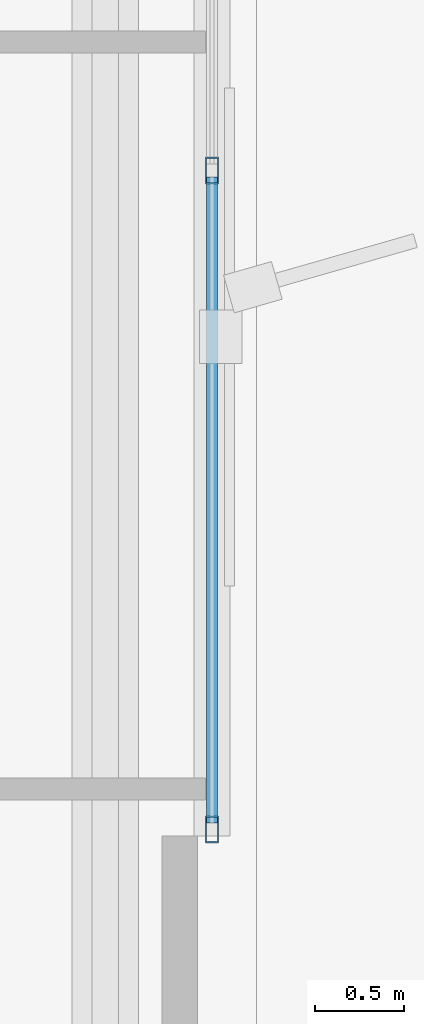
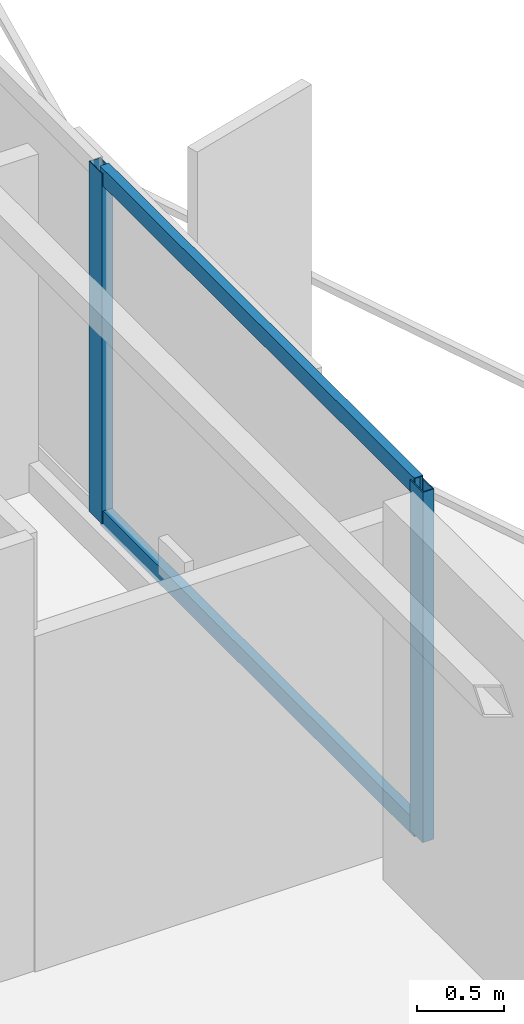
# One storey, part 8 of 23: 4 members, 1 element without a shape of its own.
"""IFC4 building model written with IfcOpenShell, lengths in metres."""

import ifcopenshell
import ifcopenshell.guid

model = None  # the IFC model being written
_history = None  # IfcOwnerHistory: only IFC2X3 demands one
_inside = {}  # id of a spatial element -> (the spatial element, [elements in it])
_under = {}  # id of a project, library or spatial element -> (it, [spatial elements below it])
_declared = {}  # id of a project -> (the project, [libraries it declares])
_typed = {}  # id of a type object -> (the type object, [elements of that type])
_made_of = {}  # id of a material, layer set ... -> (it, [elements and type objects made of it])


def new_model(schema):
    """Start an empty IFC model of exactly this schema.

    Asked for "IFC4X3", IfcOpenShell would pick the latest addendum, in which some entities
    have other attributes; the version numbers below select the first issue.
    IFC2X3 requires an IfcOwnerHistory on every rooted entity: one is made here for all.
    """
    global model, _history
    if schema == "IFC4X3":
        model = ifcopenshell.file(schema_version=(4, 3, 0, 0))
    else:
        model = ifcopenshell.file(schema=schema)
    _inside.clear()
    _under.clear()
    _declared.clear()
    _typed.clear()
    _made_of.clear()
    _history = None
    if model.schema == "IFC2X3":
        org = make("IfcOrganization", Name="unknown")
        user = make(
            "IfcPersonAndOrganization",
            ThePerson=make("IfcPerson", FamilyName="unknown"),
            TheOrganization=org,
        )
        app = make(
            "IfcApplication",
            ApplicationDeveloper=org,
            Version="unknown",
            ApplicationFullName="unknown",
            ApplicationIdentifier="unknown",
        )
        _history = make(
            "IfcOwnerHistory",
            OwningUser=user,
            OwningApplication=app,
            ChangeAction="ADDED",
            CreationDate=0,
        )
    return model


def make(cls, **values):
    """One entity of the class cls with the attributes given. An attribute that is None is left unset."""
    return model.create_entity(
        cls, **{name: value for name, value in values.items() if value is not None}
    )


def rooted(cls, **values):
    """An entity with a GlobalId (a new one), such as an element, a storey or a relation."""
    return make(cls, GlobalId=ifcopenshell.guid.new(), OwnerHistory=_history, **values)


def si_unit(unit_type, name, prefix=None):
    """IfcSIUnit, for example si_unit("LENGTHUNIT", "METRE", prefix="MILLI")."""
    return make("IfcSIUnit", UnitType=unit_type, Prefix=prefix, Name=name)


def assignment(units):
    """IfcUnitAssignment: the units of a project."""
    return None if units is None else make("IfcUnitAssignment", Units=units)


def point(xyz):
    """IfcCartesianPoint."""
    return None if xyz is None else make("IfcCartesianPoint", Coordinates=xyz)


def direction(xyz):
    """IfcDirection."""
    return None if xyz is None else make("IfcDirection", DirectionRatios=xyz)


def frame(location, z_axis=None, x_axis=None):
    """IfcAxis2Placement3D, a coordinate frame: its origin and axes. An axis left out is left unset."""
    return make(
        "IfcAxis2Placement3D",
        Location=point(location),
        Axis=direction(z_axis),
        RefDirection=direction(x_axis),
    )


def frame_2d(location, x_axis=None):
    """IfcAxis2Placement2D, a coordinate frame in the plane: its origin and x axis."""
    return make(
        "IfcAxis2Placement2D", Location=point(location), RefDirection=direction(x_axis)
    )


def origin():
    """The frame at (0, 0, 0) with its axes left unset."""
    return frame((0.0, 0.0, 0.0))


def origin_2d():
    """The frame at (0, 0) in the plane with its x axis left unset."""
    return frame_2d((0.0, 0.0))


def place(relative_to, where):
    """IfcLocalPlacement: puts the frame where relative to a parent placement (None: the world)."""
    return make(
        "IfcLocalPlacement", PlacementRelTo=relative_to, RelativePlacement=where
    )


def context(
    kind, dimensions, precision=None, world=None, true_north=None, identifier=None
):
    """IfcGeometricRepresentationContext, for example the 3D "Model" context."""
    return make(
        "IfcGeometricRepresentationContext",
        ContextIdentifier=identifier,
        ContextType=kind,
        CoordinateSpaceDimension=dimensions,
        Precision=precision,
        WorldCoordinateSystem=world,
        TrueNorth=true_north,
    )


def subcontext(parent, identifier, kind, view, scale=None):
    """IfcGeometricRepresentationSubContext, for example "Body" below "Model"."""
    return make(
        "IfcGeometricRepresentationSubContext",
        ContextIdentifier=identifier,
        ContextType=kind,
        ParentContext=parent,
        TargetScale=scale,
        TargetView=view,
    )


def project(units=None, contexts=None):
    """IfcProject with its units and contexts."""
    return rooted(
        "IfcProject",
        Name="project",
        RepresentationContexts=contexts,
        UnitsInContext=assignment(units),
    )


def spatial(cls, under=None, at=None, **own):
    """A site, building, storey or space (cls), placed at a placement, below another one or the project."""
    s = rooted(cls, ObjectPlacement=at, **own)
    if under is not None:
        _under.setdefault(under.id(), (under, []))[1].append(s)
    return s


def profile(cls, at=None, kind="AREA", **sizes):
    """A parametric profile (cls). Its sizes go by their IFC names, for example OverallWidth=200.0."""
    return make(cls, ProfileType=kind, Position=at, **sizes)


def hollow_rectangle(**sizes):
    """IfcRectangleHollowProfileDef."""
    return profile("IfcRectangleHollowProfileDef", **sizes)


def extrude(swept, where, along, depth):
    """IfcExtrudedAreaSolid: the profile swept, set in the frame where, extruded along a direction by depth."""
    return make(
        "IfcExtrudedAreaSolid",
        SweptArea=swept,
        Position=where,
        ExtrudedDirection=direction(along),
        Depth=depth,
    )


def shape(context_of_items, identifier, shape_type, items):
    """IfcShapeRepresentation: the items that make up one representation, for example the "Body"."""
    return make(
        "IfcShapeRepresentation",
        ContextOfItems=context_of_items,
        RepresentationIdentifier=identifier,
        RepresentationType=shape_type,
        Items=items,
    )


def material(Name=None, Category=None):
    """IfcMaterial."""
    return make("IfcMaterial", Name=Name, Category=Category)


def layer(
    of_material, thickness, ventilated=None, Name=None, Category=None, Priority=None
):
    """IfcMaterialLayer: one layer of a wall or slab, of a material (None: an air gap)."""
    return make(
        "IfcMaterialLayer",
        Material=of_material,
        LayerThickness=thickness,
        IsVentilated=ventilated,
        Name=Name,
        Category=Category,
        Priority=Priority,
    )


def layer_set(layers, Name=None):
    """IfcMaterialLayerSet."""
    return make("IfcMaterialLayerSet", MaterialLayers=layers, LayerSetName=Name)


def material_profile(
    of_material, cross_section, Name=None, Category=None, Priority=None
):
    """IfcMaterialProfile: a cross section and its material."""
    return make(
        "IfcMaterialProfile",
        Name=Name,
        Material=of_material,
        Profile=cross_section,
        Priority=Priority,
        Category=Category,
    )


def profile_set(profiles, Name=None, composite=None):
    """IfcMaterialProfileSet."""
    return make(
        "IfcMaterialProfileSet",
        Name=Name,
        MaterialProfiles=profiles,
        CompositeProfile=composite,
    )


def made_of(thing, what):
    """Note that an element or type object is made of a material, layer set ...; save() writes the relation."""
    if what is not None:
        _made_of.setdefault(what.id(), (what, []))[1].append(thing)
    return thing


def type_object(cls, material=None, **own):
    """A type object (cls), such as IfcWallType, which elements share."""
    return made_of(rooted(cls, **own), material)


def element(
    cls,
    number,
    at=None,
    inside=None,
    cuts=None,
    type_object=None,
    material=None,
    context=None,
    identifier="Body",
    shape_type=None,
    held_by="IfcProductDefinitionShape",
    body=None,
    shapes=None,
    **own,
):
    """One element of the class cls, such as IfcWall. Its Tag is "e" and its number.

    at: its placement. inside: the storey or other place that contains it. cuts: it is an
    opening in that element (IfcRelVoidsElement). A single representation is given by context,
    identifier, shape_type and body (its items); several are given by shapes. held_by: the class
    of the entity that holds the representations. save() writes the other relations.
    """
    e = rooted(cls, Tag="e%d" % number, ObjectPlacement=at, **own)
    if body is not None:
        shapes = [shape(context, identifier, shape_type, body)]
    if shapes is not None:
        e.Representation = make(held_by, Representations=shapes)
    if inside is not None:
        _inside.setdefault(inside.id(), (inside, []))[1].append(e)
    if cuts is not None:
        rooted(
            "IfcRelVoidsElement", RelatingBuildingElement=cuts, RelatedOpeningElement=e
        )
    if type_object is not None:
        _typed.setdefault(type_object.id(), (type_object, []))[1].append(e)
    return made_of(e, material)


def aggregate(whole, parts):
    """IfcRelAggregates: a whole, such as a stair, and the parts it consists of."""
    return rooted("IfcRelAggregates", RelatingObject=whole, RelatedObjects=parts)


def save(model, path):
    """Write the relations noted so far, then the file.

    IfcRelAggregates (storeys below a building ...), IfcRelContainedInSpatialStructure (elements
    in a storey), IfcRelDefinesByType, IfcRelAssociatesMaterial and IfcRelDeclares: one each for
    every whole, place, type object, material and project.
    """
    for whole, parts in _under.values():
        aggregate(whole, parts)
    for where, things in _inside.values():
        rooted(
            "IfcRelContainedInSpatialStructure",
            RelatedElements=things,
            RelatingStructure=where,
        )
    for kind, things in _typed.values():
        rooted("IfcRelDefinesByType", RelatedObjects=things, RelatingType=kind)
    for what, things in _made_of.values():
        rooted("IfcRelAssociatesMaterial", RelatedObjects=things, RelatingMaterial=what)
    for by, libraries in _declared.values():
        rooted("IfcRelDeclares", RelatingContext=by, RelatedDefinitions=libraries)
    model.write(path)


model = new_model("IFC4")

# Units and contexts
model_context = context("Model", 3, precision=1e-05, world=origin(), true_north=direction((0.0, 1.0)))
body_context = subcontext(model_context, "Body", "Model", "MODEL_VIEW")
ifc_project = project(units=[si_unit("LENGTHUNIT", "METRE"), si_unit("AREAUNIT", "SQUARE_METRE"), si_unit("VOLUMEUNIT", "CUBIC_METRE"), si_unit("PLANEANGLEUNIT", "RADIAN"), si_unit("MASSUNIT", "GRAM", prefix="KILO")], contexts=[model_context])

# Site, building, storey
site_placement = place(None, origin())
site = spatial("IfcSite", under=ifc_project, at=site_placement, CompositionType="ELEMENT")
building_placement = place(site_placement, origin())
building = spatial("IfcBuilding", under=site, at=building_placement, Name="Mersakhor Tower and Convention Hall", CompositionType="ELEMENT")
storey_placement = place(building_placement, frame((0.0, 0.0, 73.5)))
storey = spatial("IfcBuildingStorey", under=building, at=storey_placement, Name="L19", CompositionType="ELEMENT", Elevation=73.5)

# Curtain wall, members
ifc_material_1 = material(Name="Dark solar low-E aluminium curtain wall", Category="aluminium")
ifc_layer = layer(ifc_material_1, 0.159912109375)
ifc_layer_set = layer_set([ifc_layer], Name="Dark solar low-E aluminium curtain wall")
curtain_wall_type = type_object("IfcCurtainWallType", Name="CW-SYS-01", PredefinedType="USERDEFINED", material=ifc_layer_set)
curtain_wall_placement = place(storey_placement, origin())
curtain_wall = element("IfcCurtainWall", 1, at=curtain_wall_placement, inside=storey, type_object=curtain_wall_type, Name="L19 Dark-Glass Curtain Wall F2-B2", ObjectType="CURTAIN WALL", PredefinedType="USERDEFINED")
ifc_material_2 = material(Name="Anodised aluminium EN AW-6063 T6", Category="aluminium")
ifc_material_profile_1 = material_profile(ifc_material_2, hollow_rectangle(XDim=0.074951171875, YDim=0.14990234375, WallThickness=0.00634765625, at=origin_2d()), Name="RHS 150x75x6.3")
ifc_profile_set_1 = profile_set([ifc_material_profile_1], Name="Anodised aluminium EN AW-6063 T6")
member_type_1 = type_object("IfcMemberType", Name="CWM-150x75", PredefinedType="MULLION", material=ifc_profile_set_1)
member_1_placement = place(storey_placement, frame((43.03466796875, 24.87841796875, 0.199951171875), z_axis=(0.0, 0.0, 1.0), x_axis=(1.0, 0.0, 0.0)))
member_1 = element("IfcMember", 2, at=member_1_placement, type_object=member_type_1, Name="CW-01 mullion 3", PredefinedType="MULLION", context=body_context, shape_type="SweptSolid", body=[
    extrude(hollow_rectangle(XDim=0.074951171875, YDim=0.14990234375, WallThickness=0.00634765625, at=origin_2d()), origin(), (0.0, 0.0, 1.0), 2.469970703125),
])
member_2_placement = place(storey_placement, frame((43.03466796875, 21.172607421875, 0.199951171875), z_axis=(0.0, 0.0, 1.0), x_axis=(1.0, 0.0, 0.0)))
member_2 = element("IfcMember", 3, at=member_2_placement, type_object=member_type_1, Name="CW-01 mullion 4", PredefinedType="MULLION", context=body_context, shape_type="SweptSolid", body=[
    extrude(hollow_rectangle(XDim=0.074951171875, YDim=0.14990234375, WallThickness=0.00634765625, at=origin_2d()), origin(), (0.0, 0.0, 1.0), 2.469970703125),
])
ifc_material_3 = material(Name="Anodised aluminium EN AW-6063 T6", Category="aluminium")
ifc_material_profile_2 = material_profile(ifc_material_3, hollow_rectangle(XDim=0.06005859375, YDim=0.1201171875, WallThickness=0.0048828125, at=origin_2d()), Name="RHS 120x60x5")
ifc_profile_set_2 = profile_set([ifc_material_profile_2], Name="Anodised aluminium EN AW-6063 T6")
member_type_2 = type_object("IfcMemberType", Name="CWT-120x60", PredefinedType="USERDEFINED", material=ifc_profile_set_2)
member_3_placement = place(storey_placement, frame((43.03466796875, 24.8408203125, 0.22998046875), z_axis=(0.0, -1.0, 0.0), x_axis=(1.0, 0.0, 0.0)))
member_3 = element("IfcMember", 4, at=member_3_placement, type_object=member_type_2, Name="CW-01 transom 3.1", ObjectType="TRANSOM", PredefinedType="USERDEFINED", context=body_context, shape_type="SweptSolid", body=[
    extrude(hollow_rectangle(XDim=0.06005859375, YDim=0.1201171875, WallThickness=0.0048828125, at=origin_2d()), origin(), (0.0, 0.0, 1.0), 3.630615234375),
])
member_4_placement = place(storey_placement, frame((43.03466796875, 24.8408203125, 2.639892578125), z_axis=(0.0, -1.0, 0.0), x_axis=(1.0, 0.0, 0.0)))
member_4 = element("IfcMember", 5, at=member_4_placement, type_object=member_type_2, Name="CW-01 transom 3.2", ObjectType="TRANSOM", PredefinedType="USERDEFINED", context=body_context, shape_type="SweptSolid", body=[
    extrude(hollow_rectangle(XDim=0.06005859375, YDim=0.1201171875, WallThickness=0.0048828125, at=origin_2d()), origin(), (0.0, 0.0, 1.0), 3.630615234375),
])
aggregate(curtain_wall, [member_1, member_2, member_3, member_4])

save(model, "model.ifc")
